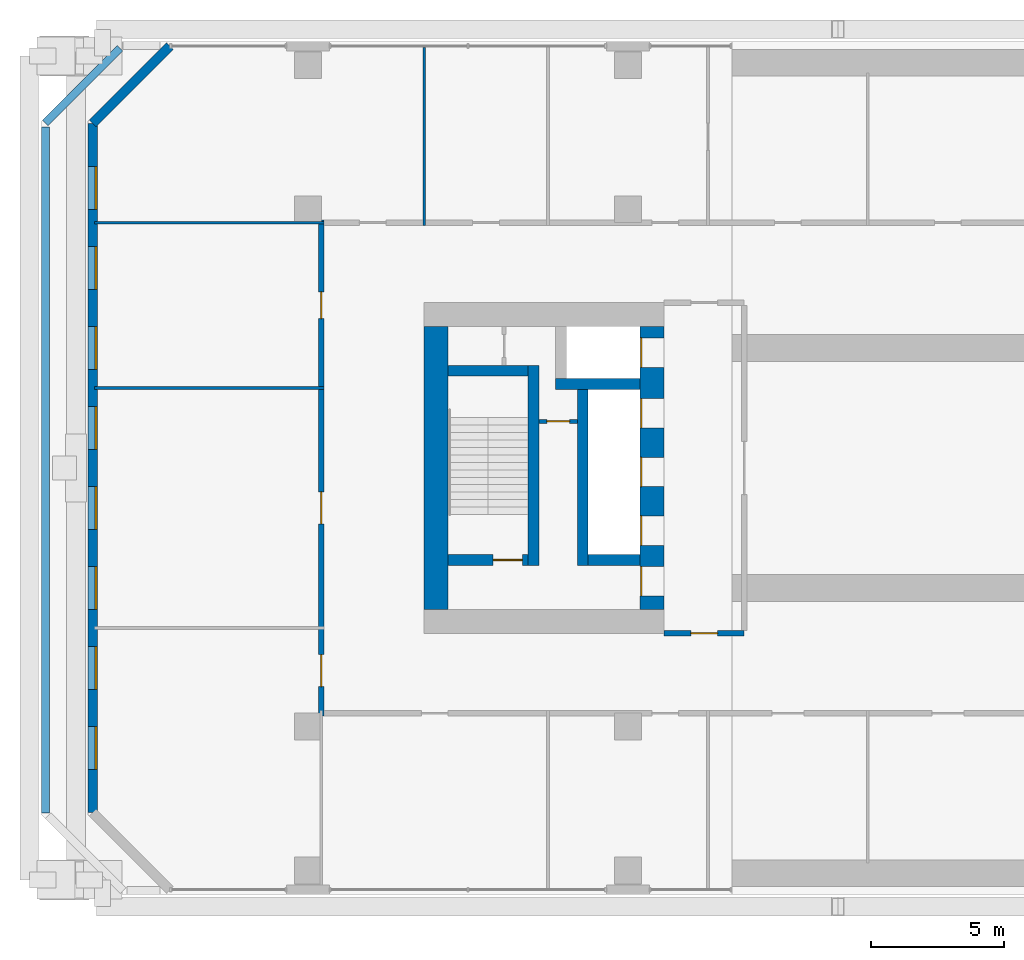
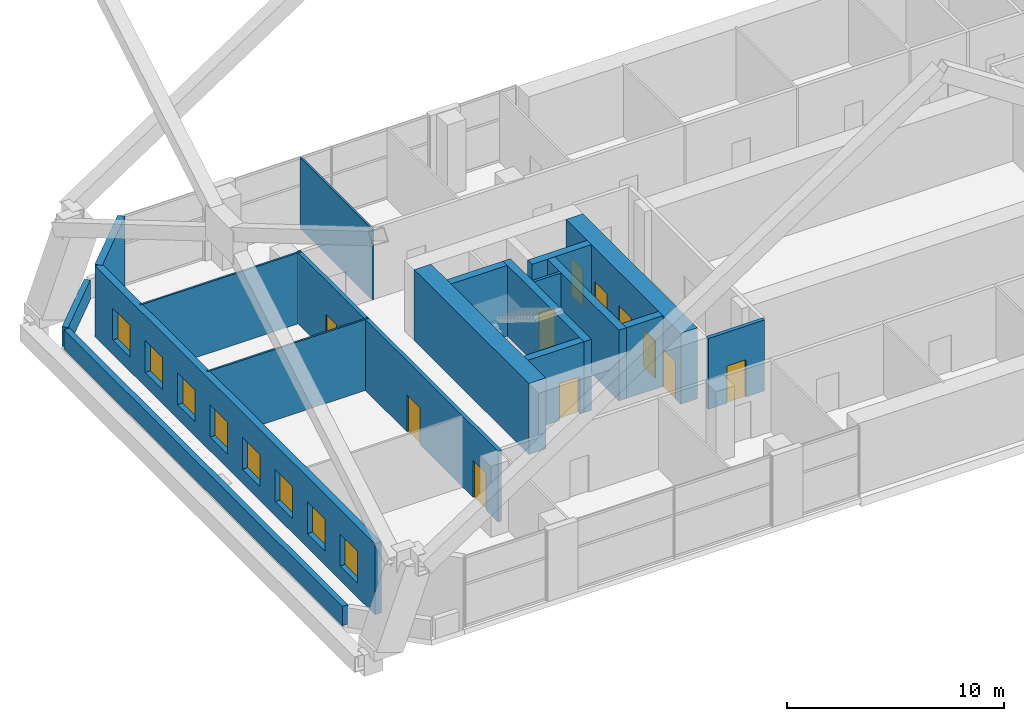
# One storey, part 17 of 25: 18 walls, 11 doors, 8 windows, 19 openings.
"""IFC4 building model written with IfcOpenShell, lengths in metres."""

from ifc_helpers import new_model, si_unit, direction, frame, frame_2d, origin, place, context, subcontext, project, spatial, rectangle, extrude, material, layer, layer_set, type_object, element, fill, save


model = new_model("IFC4")

# Units and contexts
model_context = context("Model", 3, precision=1e-05, world=origin(), true_north=direction((0.0, 1.0)))
body_context = subcontext(model_context, "Body", "Model", "MODEL_VIEW")
ifc_project = project(units=[si_unit("LENGTHUNIT", "METRE"), si_unit("AREAUNIT", "SQUARE_METRE"), si_unit("VOLUMEUNIT", "CUBIC_METRE"), si_unit("PLANEANGLEUNIT", "RADIAN"), si_unit("MASSUNIT", "GRAM", prefix="KILO")], contexts=[model_context])

# Site, building, storey
site_placement = place(None, origin())
site = spatial("IfcSite", under=ifc_project, at=site_placement, CompositionType="ELEMENT")
building_placement = place(site_placement, origin())
building = spatial("IfcBuilding", under=site, at=building_placement, Name="Tuart Gate Housing", CompositionType="ELEMENT")
storey_placement = place(building_placement, frame((0.0, 0.0, 14.699951171875)))
storey = spatial("IfcBuildingStorey", under=building, at=storey_placement, Name="L03", CompositionType="ELEMENT", Elevation=14.699951171875)

# Walls
ifc_material_1 = material(Name="Brick", Category="masonry")
ifc_layer_1 = layer(ifc_material_1, 0.300048828125)
ifc_layer_set_1 = layer_set([ifc_layer_1], Name="Brick parapet wall 300")
wall_type_1 = type_object("IfcWallType", Name="Brick parapet wall 300", PredefinedType="PARAPET", material=ifc_layer_set_1)
wall_1_placement = place(storey_placement, frame((20.95458984375, 85.742431640625, 0.0), z_axis=(0.0, 0.0, 1.0), x_axis=(-0.707137557743, -0.70707600329, 0.0)))
element("IfcWall", 1, at=wall_1_placement, inside=storey, type_object=wall_type_1, Name="Roof parapet A 2", PredefinedType="PARAPET", context=body_context, shape_type="SweptSolid", body=[
    extrude(rectangle(XDim=3.96630859375, YDim=0.300048828125, at=frame_2d((1.983154296875, 0.0))), origin(), (0.0, 0.0, 1.0), 1.10009765625),
])
wall_2_placement = place(storey_placement, frame((18.14990234375, 82.785888671875, 0.0), z_axis=(0.0, 0.0, 1.0), x_axis=(0.0, -1.0, 0.0)))
element("IfcWall", 2, at=wall_2_placement, inside=storey, type_object=wall_type_1, Name="Roof parapet A 3", PredefinedType="PARAPET", context=body_context, shape_type="SweptSolid", body=[
    extrude(rectangle(XDim=25.723876953125, YDim=0.300048828125, at=frame_2d((12.86181640625, 0.0))), origin(), (0.0, 0.0, 1.0), 1.10009765625),
])
ifc_material_2 = material(Name="Brick", Category="masonry")
ifc_layer_2 = layer(ifc_material_2, 0.360107421875)
ifc_layer_set_2 = layer_set([ifc_layer_2], Name="Brick pier and spandrel wall 360")
wall_type_2 = type_object("IfcWallType", Name="Brick pier and spandrel wall 360", PredefinedType="STANDARD", material=ifc_layer_set_2)
wall_3_placement = place(storey_placement, frame((22.82470703125, 85.820068359375, 0.0), z_axis=(0.0, 0.0, 1.0), x_axis=(-0.707106781187, -0.707106781187, 0.0)))
element("IfcWall", 3, at=wall_3_placement, inside=storey, type_object=wall_type_2, Name="External wall A-NW L03", PredefinedType="STANDARD", context=body_context, shape_type="SweptSolid", body=[
    extrude(rectangle(XDim=4.09375, YDim=0.360107421875, at=frame_2d((2.046875, 0.0))), origin(), (0.0, 0.0, 1.0), 4.0),
])

# Wall, openings, windows
wall_4_placement = place(storey_placement, frame((19.929931640625, 82.92529296875, 0.0), z_axis=(0.0, 0.0, 1.0), x_axis=(0.0, -1.0, 0.0)))
wall_4 = element("IfcWall", 4, at=wall_4_placement, inside=storey, type_object=wall_type_2, Name="External wall A-W L03", PredefinedType="STANDARD", context=body_context, shape_type="SweptSolid", body=[
    extrude(rectangle(XDim=25.850830078125, YDim=0.360107421875, at=frame_2d((12.92529296875, 0.0))), origin(), (0.0, 0.0, 1.0), 4.0),
])
opening_1_placement = place(wall_4_placement, frame((1.62548828125, 0.0, 0.800048828125)))
opening_1 = element("IfcOpeningElement", 5, at=opening_1_placement, cuts=wall_4, Name="Opening W1", PredefinedType="OPENING", context=body_context, shape_type="SweptSolid", body=[
    extrude(rectangle(XDim=1.60009765625, YDim=1.800048828125, at=frame_2d((0.800048828125, 0.89990234375))), frame((0.0, 0.18994140625, 0.0), z_axis=(0.0, -1.0, 0.0), x_axis=(1.0, 0.0, 0.0)), (0.0, 0.0, 1.0), 0.380126953125),
])
opening_2_placement = place(wall_4_placement, frame((4.62548828125, 0.0, 0.800048828125)))
opening_2 = element("IfcOpeningElement", 6, at=opening_2_placement, cuts=wall_4, Name="Opening W1", PredefinedType="OPENING", context=body_context, shape_type="SweptSolid", body=[
    extrude(rectangle(XDim=1.60009765625, YDim=1.800048828125, at=frame_2d((0.800048828125, 0.89990234375))), frame((0.0, 0.18994140625, 0.0), z_axis=(0.0, -1.0, 0.0), x_axis=(1.0, 0.0, 0.0)), (0.0, 0.0, 1.0), 0.380126953125),
])
opening_3_placement = place(wall_4_placement, frame((7.62548828125, 0.0, 0.800048828125)))
opening_3 = element("IfcOpeningElement", 7, at=opening_3_placement, cuts=wall_4, Name="Opening W1", PredefinedType="OPENING", context=body_context, shape_type="SweptSolid", body=[
    extrude(rectangle(XDim=1.60009765625, YDim=1.800048828125, at=frame_2d((0.800048828125, 0.89990234375))), frame((0.0, 0.18994140625, 0.0), z_axis=(0.0, -1.0, 0.0), x_axis=(1.0, 0.0, 0.0)), (0.0, 0.0, 1.0), 0.380126953125),
])
opening_4_placement = place(wall_4_placement, frame((10.62548828125, 0.0, 0.800048828125)))
opening_4 = element("IfcOpeningElement", 8, at=opening_4_placement, cuts=wall_4, Name="Opening W1", PredefinedType="OPENING", context=body_context, shape_type="SweptSolid", body=[
    extrude(rectangle(XDim=1.60009765625, YDim=1.800048828125, at=frame_2d((0.800048828125, 0.89990234375))), frame((0.0, 0.18994140625, 0.0), z_axis=(0.0, -1.0, 0.0), x_axis=(1.0, 0.0, 0.0)), (0.0, 0.0, 1.0), 0.380126953125),
])
opening_5_placement = place(wall_4_placement, frame((13.62548828125, 0.0, 0.800048828125)))
opening_5 = element("IfcOpeningElement", 9, at=opening_5_placement, cuts=wall_4, Name="Opening W1", PredefinedType="OPENING", context=body_context, shape_type="SweptSolid", body=[
    extrude(rectangle(XDim=1.60009765625, YDim=1.800048828125, at=frame_2d((0.800048828125, 0.89990234375))), frame((0.0, 0.18994140625, 0.0), z_axis=(0.0, -1.0, 0.0), x_axis=(1.0, 0.0, 0.0)), (0.0, 0.0, 1.0), 0.380126953125),
])
opening_6_placement = place(wall_4_placement, frame((16.62548828125, 0.0, 0.800048828125)))
opening_6 = element("IfcOpeningElement", 10, at=opening_6_placement, cuts=wall_4, Name="Opening W1", PredefinedType="OPENING", context=body_context, shape_type="SweptSolid", body=[
    extrude(rectangle(XDim=1.60009765625, YDim=1.800048828125, at=frame_2d((0.800048828125, 0.89990234375))), frame((0.0, 0.18994140625, 0.0), z_axis=(0.0, -1.0, 0.0), x_axis=(1.0, 0.0, 0.0)), (0.0, 0.0, 1.0), 0.380126953125),
])
opening_7_placement = place(wall_4_placement, frame((19.62548828125, 0.0, 0.800048828125)))
opening_7 = element("IfcOpeningElement", 11, at=opening_7_placement, cuts=wall_4, Name="Opening W1", PredefinedType="OPENING", context=body_context, shape_type="SweptSolid", body=[
    extrude(rectangle(XDim=1.60009765625, YDim=1.800048828125, at=frame_2d((0.800048828125, 0.89990234375))), frame((0.0, 0.18994140625, 0.0), z_axis=(0.0, -1.0, 0.0), x_axis=(1.0, 0.0, 0.0)), (0.0, 0.0, 1.0), 0.380126953125),
])
opening_8_placement = place(wall_4_placement, frame((22.62548828125, 0.0, 0.800048828125)))
opening_8 = element("IfcOpeningElement", 12, at=opening_8_placement, cuts=wall_4, Name="Opening W1", PredefinedType="OPENING", context=body_context, shape_type="SweptSolid", body=[
    extrude(rectangle(XDim=1.60009765625, YDim=1.800048828125, at=frame_2d((0.800048828125, 0.89990234375))), frame((0.0, 0.18994140625, 0.0), z_axis=(0.0, -1.0, 0.0), x_axis=(1.0, 0.0, 0.0)), (0.0, 0.0, 1.0), 0.380126953125),
])
ifc_material_3 = material(Name="Aluminium frame with clear glass", Category="aluminium")
window_type = type_object("IfcWindowType", Name="Punched window 1600 x 1800", PartitioningType="SINGLE_PANEL", PredefinedType="WINDOW", material=ifc_material_3)
window_1_placement = place(opening_1_placement, origin())
window_1 = element("IfcWindow", 13, at=window_1_placement, inside=storey, type_object=window_type, Name="Window W1", OverallHeight=1.800048828125, OverallWidth=1.60009765625, PartitioningType="SINGLE_PANEL", PredefinedType="WINDOW", context=body_context, shape_type="SweptSolid", body=[
    extrude(rectangle(XDim=1.60009765625, YDim=1.800048828125, at=frame_2d((0.800048828125, 0.89990234375))), frame((0.0, 0.150146484375, 0.0), z_axis=(0.0, -1.0, 0.0), x_axis=(1.0, 0.0, 0.0)), (0.0, 0.0, 1.0), 0.06005859375),
])
fill(opening_1, window_1)
window_2_placement = place(opening_2_placement, origin())
window_2 = element("IfcWindow", 14, at=window_2_placement, inside=storey, type_object=window_type, Name="Window W1", OverallHeight=1.800048828125, OverallWidth=1.60009765625, PartitioningType="SINGLE_PANEL", PredefinedType="WINDOW", context=body_context, shape_type="SweptSolid", body=[
    extrude(rectangle(XDim=1.60009765625, YDim=1.800048828125, at=frame_2d((0.800048828125, 0.89990234375))), frame((0.0, 0.150146484375, 0.0), z_axis=(0.0, -1.0, 0.0), x_axis=(1.0, 0.0, 0.0)), (0.0, 0.0, 1.0), 0.06005859375),
])
fill(opening_2, window_2)
window_3_placement = place(opening_3_placement, origin())
window_3 = element("IfcWindow", 15, at=window_3_placement, inside=storey, type_object=window_type, Name="Window W1", OverallHeight=1.800048828125, OverallWidth=1.60009765625, PartitioningType="SINGLE_PANEL", PredefinedType="WINDOW", context=body_context, shape_type="SweptSolid", body=[
    extrude(rectangle(XDim=1.60009765625, YDim=1.800048828125, at=frame_2d((0.800048828125, 0.89990234375))), frame((0.0, 0.150146484375, 0.0), z_axis=(0.0, -1.0, 0.0), x_axis=(1.0, 0.0, 0.0)), (0.0, 0.0, 1.0), 0.06005859375),
])
fill(opening_3, window_3)
window_4_placement = place(opening_4_placement, origin())
window_4 = element("IfcWindow", 16, at=window_4_placement, inside=storey, type_object=window_type, Name="Window W1", OverallHeight=1.800048828125, OverallWidth=1.60009765625, PartitioningType="SINGLE_PANEL", PredefinedType="WINDOW", context=body_context, shape_type="SweptSolid", body=[
    extrude(rectangle(XDim=1.60009765625, YDim=1.800048828125, at=frame_2d((0.800048828125, 0.89990234375))), frame((0.0, 0.150146484375, 0.0), z_axis=(0.0, -1.0, 0.0), x_axis=(1.0, 0.0, 0.0)), (0.0, 0.0, 1.0), 0.06005859375),
])
fill(opening_4, window_4)
window_5_placement = place(opening_5_placement, origin())
window_5 = element("IfcWindow", 17, at=window_5_placement, inside=storey, type_object=window_type, Name="Window W1", OverallHeight=1.800048828125, OverallWidth=1.60009765625, PartitioningType="SINGLE_PANEL", PredefinedType="WINDOW", context=body_context, shape_type="SweptSolid", body=[
    extrude(rectangle(XDim=1.60009765625, YDim=1.800048828125, at=frame_2d((0.800048828125, 0.89990234375))), frame((0.0, 0.150146484375, 0.0), z_axis=(0.0, -1.0, 0.0), x_axis=(1.0, 0.0, 0.0)), (0.0, 0.0, 1.0), 0.06005859375),
])
fill(opening_5, window_5)
window_6_placement = place(opening_6_placement, origin())
window_6 = element("IfcWindow", 18, at=window_6_placement, inside=storey, type_object=window_type, Name="Window W1", OverallHeight=1.800048828125, OverallWidth=1.60009765625, PartitioningType="SINGLE_PANEL", PredefinedType="WINDOW", context=body_context, shape_type="SweptSolid", body=[
    extrude(rectangle(XDim=1.60009765625, YDim=1.800048828125, at=frame_2d((0.800048828125, 0.89990234375))), frame((0.0, 0.150146484375, 0.0), z_axis=(0.0, -1.0, 0.0), x_axis=(1.0, 0.0, 0.0)), (0.0, 0.0, 1.0), 0.06005859375),
])
fill(opening_6, window_6)
window_7_placement = place(opening_7_placement, origin())
window_7 = element("IfcWindow", 19, at=window_7_placement, inside=storey, type_object=window_type, Name="Window W1", OverallHeight=1.800048828125, OverallWidth=1.60009765625, PartitioningType="SINGLE_PANEL", PredefinedType="WINDOW", context=body_context, shape_type="SweptSolid", body=[
    extrude(rectangle(XDim=1.60009765625, YDim=1.800048828125, at=frame_2d((0.800048828125, 0.89990234375))), frame((0.0, 0.150146484375, 0.0), z_axis=(0.0, -1.0, 0.0), x_axis=(1.0, 0.0, 0.0)), (0.0, 0.0, 1.0), 0.06005859375),
])
fill(opening_7, window_7)
window_8_placement = place(opening_8_placement, origin())
window_8 = element("IfcWindow", 20, at=window_8_placement, inside=storey, type_object=window_type, Name="Window W1", OverallHeight=1.800048828125, OverallWidth=1.60009765625, PartitioningType="SINGLE_PANEL", PredefinedType="WINDOW", context=body_context, shape_type="SweptSolid", body=[
    extrude(rectangle(XDim=1.60009765625, YDim=1.800048828125, at=frame_2d((0.800048828125, 0.89990234375))), frame((0.0, 0.150146484375, 0.0), z_axis=(0.0, -1.0, 0.0), x_axis=(1.0, 0.0, 0.0)), (0.0, 0.0, 1.0), 0.06005859375),
])
fill(opening_8, window_8)

# Wall, opening, door
ifc_material_4 = material(Name="Plasterboard partition")
ifc_layer_3 = layer(ifc_material_4, 0.14990234375)
ifc_layer_set_3 = layer_set([ifc_layer_3], Name="Core partition 150")
wall_type_3 = type_object("IfcWallType", Name="Core partition 150", PredefinedType="PARTITIONING", material=ifc_layer_set_3)
wall_5_placement = place(storey_placement, frame((38.110107421875, 71.75, 0.0), z_axis=(0.0, 0.0, 1.0), x_axis=(-1.0, 0.0, 0.0)))
wall_5 = element("IfcWall", 21, at=wall_5_placement, inside=storey, type_object=wall_type_3, Name="Core partition AK.3", PredefinedType="PARTITIONING", context=body_context, shape_type="SweptSolid", body=[
    extrude(rectangle(XDim=1.4501953125, YDim=0.14990234375, at=frame_2d((0.72509765625, 0.0))), origin(), (0.0, 0.0, 1.0), 4.0),
])
opening_9_placement = place(wall_5_placement, frame((0.300048828125, 0.0, 0.0)))
opening_9 = element("IfcOpeningElement", 22, at=opening_9_placement, cuts=wall_5, Name="Opening D017", PredefinedType="OPENING", context=body_context, shape_type="SweptSolid", body=[
    extrude(rectangle(XDim=0.85009765625, YDim=2.10009765625, at=frame_2d((0.425048828125, 1.050048828125))), frame((0.0, 0.0849609375, 0.0), z_axis=(0.0, -1.0, 0.0), x_axis=(1.0, 0.0, 0.0)), (0.0, 0.0, 1.0), 0.169921875),
])
ifc_material_5 = material(Name="Steel fire door", Category="steel")
door_type_1 = type_object("IfcDoorType", Name="Riser door 850 x 2100 RH", OperationType="SINGLE_SWING_RIGHT", PredefinedType="DOOR", material=ifc_material_5)
door_1_placement = place(opening_9_placement, frame((0.85009765625, 0.0, 0.0), z_axis=(0.0, 0.0, 1.0), x_axis=(-1.0, 0.0, 0.0)))
door_1 = element("IfcDoor", 23, at=door_1_placement, inside=storey, type_object=door_type_1, Name="Service room door AK.E1", OperationType="SINGLE_SWING_RIGHT", OverallHeight=2.10009765625, OverallWidth=0.85009765625, PredefinedType="DOOR", context=body_context, shape_type="SweptSolid", body=[
    extrude(rectangle(XDim=0.85009765625, YDim=2.10009765625, at=frame_2d((0.425048828125, 1.050048828125))), frame((0.0, 0.025146484375, 0.0), z_axis=(0.0, -1.0, 0.0), x_axis=(1.0, 0.0, 0.0)), (0.0, 0.0, 1.0), 0.050048828125),
])
fill(opening_9, door_1)

# Walls
ifc_material_6 = material(Name="Concrete C60", Category="concrete")
ifc_layer_4 = layer(ifc_material_6, 0.39990234375)
ifc_layer_set_4 = layer_set([ifc_layer_4], Name="Core wall 400 C60")
wall_type_4 = type_object("IfcWallType", Name="Core wall 400 C60", PredefinedType="SHEAR", material=ifc_layer_set_4)
wall_6_placement = place(storey_placement, frame((36.260009765625, 73.64990234375, 0.0), z_axis=(0.0, 0.0, 1.0), x_axis=(-1.0, 0.0, 0.0)))
element("IfcWall", 24, at=wall_6_placement, inside=storey, type_object=wall_type_4, Name="Core wall AK.1", PredefinedType="SHEAR", context=body_context, shape_type="SweptSolid", body=[
    extrude(rectangle(XDim=3.0, YDim=0.39990234375, at=frame_2d((1.5, 0.0))), origin(), (0.0, 0.0, 1.0), 4.0),
])
wall_7_placement = place(storey_placement, frame((40.4599609375, 73.14990234375, 0.0), z_axis=(0.0, 0.0, 1.0), x_axis=(-1.0, 0.0, 0.0)))
element("IfcWall", 25, at=wall_7_placement, inside=storey, type_object=wall_type_4, Name="Core wall AK.2", PredefinedType="SHEAR", context=body_context, shape_type="SweptSolid", body=[
    extrude(rectangle(XDim=3.169921875, YDim=0.39990234375, at=frame_2d((1.5849609375, 0.0))), origin(), (0.0, 0.0, 1.0), 4.0),
])
wall_8_placement = place(storey_placement, frame((40.4599609375, 66.550048828125, 0.0), z_axis=(0.0, 0.0, 1.0), x_axis=(-1.0, 0.0, 0.0)))
element("IfcWall", 26, at=wall_8_placement, inside=storey, type_object=wall_type_4, Name="Core wall AK.4", PredefinedType="SHEAR", context=body_context, shape_type="SweptSolid", body=[
    extrude(rectangle(XDim=1.949951171875, YDim=0.39990234375, at=frame_2d((0.97509765625, 0.0))), origin(), (0.0, 0.0, 1.0), 4.0),
])

# Wall, opening, door
wall_9_placement = place(storey_placement, frame((36.260009765625, 66.550048828125, 0.0), z_axis=(0.0, 0.0, 1.0), x_axis=(-1.0, 0.0, 0.0)))
wall_9 = element("IfcWall", 27, at=wall_9_placement, inside=storey, type_object=wall_type_4, Name="Core wall AK.5", PredefinedType="SHEAR", context=body_context, shape_type="SweptSolid", body=[
    extrude(rectangle(XDim=3.0, YDim=0.39990234375, at=frame_2d((1.5, 0.0))), origin(), (0.0, 0.0, 1.0), 4.0),
])
opening_10_placement = place(wall_9_placement, frame((0.219970703125, 0.0, 0.0)))
opening_10 = element("IfcOpeningElement", 28, at=opening_10_placement, cuts=wall_9, Name="Opening D026", PredefinedType="OPENING", context=body_context, shape_type="SweptSolid", body=[
    extrude(rectangle(XDim=1.10009765625, YDim=2.10009765625, at=frame_2d((0.550048828125, 1.050048828125))), frame((0.0, 0.2099609375, 0.0), z_axis=(0.0, -1.0, 0.0), x_axis=(1.0, 0.0, 0.0)), (0.0, 0.0, 1.0), 0.419921875),
])
ifc_material_7 = material(Name="Steel fire door", Category="steel")
door_type_2 = type_object("IfcDoorType", Name="Stair door 1100 x 2100 RH", OperationType="SINGLE_SWING_RIGHT", PredefinedType="DOOR", material=ifc_material_7)
door_2_placement = place(opening_10_placement, frame((1.10009765625, 0.0, 0.0), z_axis=(0.0, 0.0, 1.0), x_axis=(-1.0, 0.0, 0.0)))
door_2 = element("IfcDoor", 29, at=door_2_placement, inside=storey, type_object=door_type_2, Name="Stair door AK.SD", OperationType="SINGLE_SWING_RIGHT", OverallHeight=2.10009765625, OverallWidth=1.10009765625, PredefinedType="DOOR", context=body_context, shape_type="SweptSolid", body=[
    extrude(rectangle(XDim=1.10009765625, YDim=2.10009765625, at=frame_2d((0.550048828125, 1.050048828125))), frame((0.0, 0.025146484375, 0.0), z_axis=(0.0, -1.0, 0.0), x_axis=(1.0, 0.0, 0.0)), (0.0, 0.0, 1.0), 0.050048828125),
])
fill(opening_10, door_2)

# Walls
wall_10_placement = place(storey_placement, frame((38.31005859375, 72.949951171875, 0.0), z_axis=(0.0, 0.0, 1.0), x_axis=(0.0, -1.0, 0.0)))
element("IfcWall", 30, at=wall_10_placement, inside=storey, type_object=wall_type_4, Name="Core wall AK.6", PredefinedType="SHEAR", context=body_context, shape_type="SweptSolid", body=[
    extrude(rectangle(XDim=6.599853515625, YDim=0.39990234375, at=frame_2d((3.2998046875, 0.0))), origin(), (0.0, 0.0, 1.0), 4.0),
])
wall_11_placement = place(storey_placement, frame((36.4599609375, 73.85009765625, 0.0), z_axis=(0.0, 0.0, 1.0), x_axis=(0.0, -1.0, 0.0)))
element("IfcWall", 31, at=wall_11_placement, inside=storey, type_object=wall_type_4, Name="Core wall AK.8", PredefinedType="SHEAR", context=body_context, shape_type="SweptSolid", body=[
    extrude(rectangle(XDim=7.5, YDim=0.39990234375, at=frame_2d((3.75, 0.0))), origin(), (0.0, 0.0, 1.0), 4.0),
])

# Wall, openings, doors
ifc_material_8 = material(Name="Concrete C60", Category="concrete")
ifc_layer_5 = layer(ifc_material_8, 0.89990234375)
ifc_layer_set_5 = layer_set([ifc_layer_5], Name="Core wall 900 C60")
wall_type_5 = type_object("IfcWallType", Name="Core wall 900 C60", PredefinedType="SHEAR", material=ifc_layer_set_5)
wall_12_placement = place(storey_placement, frame((40.909912109375, 75.300048828125, 0.0), z_axis=(0.0, 0.0, 1.0), x_axis=(0.0, -1.0, 0.0)))
wall_12 = element("IfcWall", 32, at=wall_12_placement, inside=storey, type_object=wall_type_5, Name="Core wall AK front", PredefinedType="SHEAR", context=body_context, shape_type="SweptSolid", body=[
    extrude(rectangle(XDim=10.60009765625, YDim=0.89990234375, at=frame_2d((5.300048828125, 0.0))), origin(), (0.0, 0.0, 1.0), 4.0),
])
opening_11_placement = place(wall_12_placement, frame((0.425048828125, 0.0, 0.0)))
opening_11 = element("IfcOpeningElement", 33, at=opening_11_placement, cuts=wall_12, Name="Opening LD-FA2", PredefinedType="OPENING", context=body_context, shape_type="SweptSolid", body=[
    extrude(rectangle(XDim=1.10009765625, YDim=2.10009765625, at=frame_2d((0.550048828125, 1.050048828125))), frame((0.0, 0.4599609375, 0.0), z_axis=(0.0, -1.0, 0.0), x_axis=(1.0, 0.0, 0.0)), (0.0, 0.0, 1.0), 0.919921875),
])
opening_12_placement = place(wall_12_placement, frame((2.699951171875, 0.0, 0.0)))
opening_12 = element("IfcOpeningElement", 34, at=opening_12_placement, cuts=wall_12, Name="Opening LD-LA4", PredefinedType="OPENING", context=body_context, shape_type="SweptSolid", body=[
    extrude(rectangle(XDim=1.10009765625, YDim=2.10009765625, at=frame_2d((0.550048828125, 1.050048828125))), frame((0.0, 0.4599609375, 0.0), z_axis=(0.0, -1.0, 0.0), x_axis=(1.0, 0.0, 0.0)), (0.0, 0.0, 1.0), 0.919921875),
])
opening_13_placement = place(wall_12_placement, frame((4.89990234375, 0.0, 0.0)))
opening_13 = element("IfcOpeningElement", 35, at=opening_13_placement, cuts=wall_12, Name="Opening LD-LA5", PredefinedType="OPENING", context=body_context, shape_type="SweptSolid", body=[
    extrude(rectangle(XDim=1.10009765625, YDim=2.10009765625, at=frame_2d((0.550048828125, 1.050048828125))), frame((0.0, 0.4599609375, 0.0), z_axis=(0.0, -1.0, 0.0), x_axis=(1.0, 0.0, 0.0)), (0.0, 0.0, 1.0), 0.919921875),
])
opening_14_placement = place(wall_12_placement, frame((7.10009765625, 0.0, 0.0)))
opening_14 = element("IfcOpeningElement", 36, at=opening_14_placement, cuts=wall_12, Name="Opening LD-LA6", PredefinedType="OPENING", context=body_context, shape_type="SweptSolid", body=[
    extrude(rectangle(XDim=1.10009765625, YDim=2.10009765625, at=frame_2d((0.550048828125, 1.050048828125))), frame((0.0, 0.4599609375, 0.0), z_axis=(0.0, -1.0, 0.0), x_axis=(1.0, 0.0, 0.0)), (0.0, 0.0, 1.0), 0.919921875),
])
opening_15_placement = place(wall_12_placement, frame((9.0, 0.0, 0.0)))
opening_15 = element("IfcOpeningElement", 37, at=opening_15_placement, cuts=wall_12, Name="Opening D021", PredefinedType="OPENING", context=body_context, shape_type="SweptSolid", body=[
    extrude(rectangle(XDim=1.10009765625, YDim=2.10009765625, at=frame_2d((0.550048828125, 1.050048828125))), frame((0.0, 0.4599609375, 0.0), z_axis=(0.0, -1.0, 0.0), x_axis=(1.0, 0.0, 0.0)), (0.0, 0.0, 1.0), 0.919921875),
])
ifc_material_9 = material(Name="Stainless steel", Category="steel")
door_type_3 = type_object("IfcDoorType", Name="Landing door 1100 x 2100", OperationType="DOUBLE_DOOR_SLIDING", PredefinedType="DOOR", material=ifc_material_9)
door_3_placement = place(opening_11_placement, origin())
door_3 = element("IfcDoor", 38, at=door_3_placement, inside=storey, type_object=door_type_3, Name="Lift landing door FA2", OperationType="DOUBLE_DOOR_SLIDING", OverallHeight=2.10009765625, OverallWidth=1.10009765625, PredefinedType="DOOR", context=body_context, shape_type="SweptSolid", body=[
    extrude(rectangle(XDim=1.10009765625, YDim=2.10009765625, at=frame_2d((0.550048828125, 1.050048828125))), frame((0.0, -0.384765625, 0.0), z_axis=(0.0, -1.0, 0.0), x_axis=(1.0, 0.0, 0.0)), (0.0, 0.0, 1.0), 0.050048828125),
])
fill(opening_11, door_3)
door_4_placement = place(opening_12_placement, origin())
door_4 = element("IfcDoor", 39, at=door_4_placement, inside=storey, type_object=door_type_3, Name="Lift landing door LA4", OperationType="DOUBLE_DOOR_SLIDING", OverallHeight=2.10009765625, OverallWidth=1.10009765625, PredefinedType="DOOR", context=body_context, shape_type="SweptSolid", body=[
    extrude(rectangle(XDim=1.10009765625, YDim=2.10009765625, at=frame_2d((0.550048828125, 1.050048828125))), frame((0.0, -0.384765625, 0.0), z_axis=(0.0, -1.0, 0.0), x_axis=(1.0, 0.0, 0.0)), (0.0, 0.0, 1.0), 0.050048828125),
])
fill(opening_12, door_4)
door_5_placement = place(opening_13_placement, origin())
door_5 = element("IfcDoor", 40, at=door_5_placement, inside=storey, type_object=door_type_3, Name="Lift landing door LA5", OperationType="DOUBLE_DOOR_SLIDING", OverallHeight=2.10009765625, OverallWidth=1.10009765625, PredefinedType="DOOR", context=body_context, shape_type="SweptSolid", body=[
    extrude(rectangle(XDim=1.10009765625, YDim=2.10009765625, at=frame_2d((0.550048828125, 1.050048828125))), frame((0.0, -0.384765625, 0.0), z_axis=(0.0, -1.0, 0.0), x_axis=(1.0, 0.0, 0.0)), (0.0, 0.0, 1.0), 0.050048828125),
])
fill(opening_13, door_5)
door_6_placement = place(opening_14_placement, origin())
door_6 = element("IfcDoor", 41, at=door_6_placement, inside=storey, type_object=door_type_3, Name="Lift landing door LA6", OperationType="DOUBLE_DOOR_SLIDING", OverallHeight=2.10009765625, OverallWidth=1.10009765625, PredefinedType="DOOR", context=body_context, shape_type="SweptSolid", body=[
    extrude(rectangle(XDim=1.10009765625, YDim=2.10009765625, at=frame_2d((0.550048828125, 1.050048828125))), frame((0.0, -0.384765625, 0.0), z_axis=(0.0, -1.0, 0.0), x_axis=(1.0, 0.0, 0.0)), (0.0, 0.0, 1.0), 0.050048828125),
])
fill(opening_14, door_6)
ifc_material_10 = material(Name="Steel fire door", Category="steel")
door_type_4 = type_object("IfcDoorType", Name="Lobby door 1100 x 2100 RH", OperationType="SINGLE_SWING_RIGHT", PredefinedType="DOOR", material=ifc_material_10)
door_7_placement = place(opening_15_placement, frame((1.10009765625, 0.0, 0.0), z_axis=(0.0, 0.0, 1.0), x_axis=(-1.0, 0.0, 0.0)))
door_7 = element("IfcDoor", 42, at=door_7_placement, inside=storey, type_object=door_type_4, Name="Lobby entry door AK.EN", OperationType="SINGLE_SWING_RIGHT", OverallHeight=2.10009765625, OverallWidth=1.10009765625, PredefinedType="DOOR", context=body_context, shape_type="SweptSolid", body=[
    extrude(rectangle(XDim=1.10009765625, YDim=2.10009765625, at=frame_2d((0.550048828125, 1.050048828125))), frame((0.0, 0.434814453125, 0.0), z_axis=(0.0, -1.0, 0.0), x_axis=(1.0, 0.0, 0.0)), (0.0, 0.0, 1.0), 0.050048828125),
])
fill(opening_15, door_7)

# Wall
wall_13_placement = place(storey_placement, frame((32.81005859375, 75.300048828125, 0.0), z_axis=(0.0, 0.0, 1.0), x_axis=(0.0, -1.0, 0.0)))
element("IfcWall", 43, at=wall_13_placement, inside=storey, type_object=wall_type_5, Name="Core wall AK back", PredefinedType="SHEAR", context=body_context, shape_type="SweptSolid", body=[
    extrude(rectangle(XDim=10.60009765625, YDim=0.89990234375, at=frame_2d((5.300048828125, 0.0))), origin(), (0.0, 0.0, 1.0), 4.0),
])

# Wall, openings, doors
ifc_material_11 = material(Name="Concrete masonry 15 MPa", Category="masonry")
ifc_layer_6 = layer(ifc_material_11, 0.199951171875)
ifc_layer_set_6 = layer_set([ifc_layer_6], Name="Corridor wall masonry 200")
wall_type_6 = type_object("IfcWallType", Name="Corridor wall masonry 200", PredefinedType="PARTITIONING", material=ifc_layer_set_6)
wall_14_placement = place(storey_placement, frame((28.5, 60.699951171875, 0.0), z_axis=(0.0, 0.0, 1.0), x_axis=(0.0, 1.0, 0.0)))
wall_14 = element("IfcWall", 44, at=wall_14_placement, inside=storey, type_object=wall_type_6, Name="Corridor wall masonry 200", PredefinedType="PARTITIONING", context=body_context, shape_type="SweptSolid", body=[
    extrude(rectangle(XDim=18.60009765625, YDim=0.199951171875, at=frame_2d((9.300048828125, 0.0))), origin(), (0.0, 0.0, 1.0), 4.0),
])
opening_16_placement = place(wall_14_placement, frame((1.10009765625, 0.0, 0.0)))
opening_16 = element("IfcOpeningElement", 45, at=opening_16_placement, cuts=wall_14, Name="Opening D019", PredefinedType="OPENING", context=body_context, shape_type="SweptSolid", body=[
    extrude(rectangle(XDim=1.199951171875, YDim=2.10009765625, at=frame_2d((0.60009765625, 1.050048828125))), frame((0.0, 0.10986328125, 0.0), z_axis=(0.0, -1.0, 0.0), x_axis=(1.0, 0.0, 0.0)), (0.0, 0.0, 1.0), 0.219970703125),
])
opening_17_placement = place(wall_14_placement, frame((7.199951171875, 0.0, 0.0)))
opening_17 = element("IfcOpeningElement", 46, at=opening_17_placement, cuts=wall_14, Name="Opening D020", PredefinedType="OPENING", context=body_context, shape_type="SweptSolid", body=[
    extrude(rectangle(XDim=1.199951171875, YDim=2.10009765625, at=frame_2d((0.60009765625, 1.050048828125))), frame((0.0, 0.10986328125, 0.0), z_axis=(0.0, -1.0, 0.0), x_axis=(1.0, 0.0, 0.0)), (0.0, 0.0, 1.0), 0.219970703125),
])
opening_18_placement = place(wall_14_placement, frame((14.89990234375, 0.0, 0.0)))
opening_18 = element("IfcOpeningElement", 47, at=opening_18_placement, cuts=wall_14, Name="Opening D018", PredefinedType="OPENING", context=body_context, shape_type="SweptSolid", body=[
    extrude(rectangle(XDim=1.0, YDim=2.10009765625, at=frame_2d((0.5, 1.050048828125))), frame((0.0, 0.10986328125, 0.0), z_axis=(0.0, -1.0, 0.0), x_axis=(1.0, 0.0, 0.0)), (0.0, 0.0, 1.0), 0.219970703125),
])
ifc_material_12 = material(Name="Timber door leaf in steel frame", Category="steel")
door_type_5 = type_object("IfcDoorType", Name="Fire door 1000", OperationType="SINGLE_SWING_LEFT", PredefinedType="DOOR", material=ifc_material_12)
door_8_placement = place(opening_18_placement, origin())
door_8 = element("IfcDoor", 48, at=door_8_placement, inside=storey, type_object=door_type_5, Name="Fire door 1000", OperationType="SINGLE_SWING_LEFT", OverallHeight=2.10009765625, OverallWidth=1.0, PredefinedType="DOOR", context=body_context, shape_type="SweptSolid", body=[
    extrude(rectangle(XDim=1.0, YDim=2.10009765625, at=frame_2d((0.5, 1.050048828125))), frame((0.0, 0.02490234375, 0.0), z_axis=(0.0, -1.0, 0.0), x_axis=(1.0, 0.0, 0.0)), (0.0, 0.0, 1.0), 0.050048828125),
])
fill(opening_18, door_8)
ifc_material_13 = material(Name="Timber door leaf in steel frame", Category="steel")
door_type_6 = type_object("IfcDoorType", Name="Fire door 1200", OperationType="SINGLE_SWING_LEFT", PredefinedType="DOOR", material=ifc_material_13)
door_9_placement = place(opening_17_placement, origin())
door_9 = element("IfcDoor", 49, at=door_9_placement, inside=storey, type_object=door_type_6, Name="Fire door 1200", OperationType="SINGLE_SWING_LEFT", OverallHeight=2.10009765625, OverallWidth=1.199951171875, PredefinedType="DOOR", context=body_context, shape_type="SweptSolid", body=[
    extrude(rectangle(XDim=1.199951171875, YDim=2.10009765625, at=frame_2d((0.60009765625, 1.050048828125))), frame((0.0, 0.02490234375, 0.0), z_axis=(0.0, -1.0, 0.0), x_axis=(1.0, 0.0, 0.0)), (0.0, 0.0, 1.0), 0.050048828125),
])
fill(opening_17, door_9)
ifc_material_14 = material(Name="Timber door leaf in steel frame", Category="steel")
door_type_7 = type_object("IfcDoorType", Name="Fire door 1200 RH", OperationType="SINGLE_SWING_RIGHT", PredefinedType="DOOR", material=ifc_material_14)
door_10_placement = place(opening_16_placement, origin())
door_10 = element("IfcDoor", 50, at=door_10_placement, inside=storey, type_object=door_type_7, Name="Fire door 1200", OperationType="SINGLE_SWING_RIGHT", OverallHeight=2.10009765625, OverallWidth=1.199951171875, PredefinedType="DOOR", context=body_context, shape_type="SweptSolid", body=[
    extrude(rectangle(XDim=1.199951171875, YDim=2.10009765625, at=frame_2d((0.60009765625, 1.050048828125))), frame((0.0, 0.02490234375, 0.0), z_axis=(0.0, -1.0, 0.0), x_axis=(1.0, 0.0, 0.0)), (0.0, 0.0, 1.0), 0.050048828125),
])
fill(opening_16, door_10)

# Wall, opening, door
ifc_material_15 = material(Name="Concrete masonry 15 MPa", Category="masonry")
ifc_layer_7 = layer(ifc_material_15, 0.199951171875)
ifc_layer_set_7 = layer_set([ifc_layer_7], Name="Enclosure wall masonry 200")
wall_type_7 = type_object("IfcWallType", Name="Enclosure wall masonry 200", PredefinedType="PARTITIONING", material=ifc_layer_set_7)
wall_15_placement = place(storey_placement, frame((41.360107421875, 63.800048828125, 0.0), z_axis=(0.0, 0.0, 1.0), x_axis=(1.0, 0.0, 0.0)))
wall_15 = element("IfcWall", 51, at=wall_15_placement, inside=storey, type_object=wall_type_7, Name="Enclosure wall masonry 200", PredefinedType="PARTITIONING", context=body_context, shape_type="SweptSolid", body=[
    extrude(rectangle(XDim=3.0, YDim=0.199951171875, at=frame_2d((1.5, 0.0))), origin(), (0.0, 0.0, 1.0), 4.0),
])
opening_19_placement = place(wall_15_placement, frame((1.0, 0.0, 0.0)))
opening_19 = element("IfcOpeningElement", 52, at=opening_19_placement, cuts=wall_15, Name="Opening D027", PredefinedType="OPENING", context=body_context, shape_type="SweptSolid", body=[
    extrude(rectangle(XDim=1.0, YDim=2.10009765625, at=frame_2d((0.5, 1.050048828125))), frame((0.0, 0.10986328125, 0.0), z_axis=(0.0, -1.0, 0.0), x_axis=(1.0, 0.0, 0.0)), (0.0, 0.0, 1.0), 0.219970703125),
])
ifc_material_16 = material(Name="Timber door leaf in steel frame", Category="steel")
door_type_8 = type_object("IfcDoorType", Name="Lobby door 1000 RH", OperationType="SINGLE_SWING_RIGHT", PredefinedType="DOOR", material=ifc_material_16)
door_11_placement = place(opening_19_placement, origin())
door_11 = element("IfcDoor", 53, at=door_11_placement, inside=storey, type_object=door_type_8, Name="Lobby door 1000", OperationType="SINGLE_SWING_RIGHT", OverallHeight=2.10009765625, OverallWidth=1.0, PredefinedType="DOOR", context=body_context, shape_type="SweptSolid", body=[
    extrude(rectangle(XDim=1.0, YDim=2.10009765625, at=frame_2d((0.5, 1.050048828125))), frame((0.0, 0.02490234375, 0.0), z_axis=(0.0, -1.0, 0.0), x_axis=(1.0, 0.0, 0.0)), (0.0, 0.0, 1.0), 0.050048828125),
])
fill(opening_19, door_11)

# Walls
ifc_material_17 = material(Name="Gypsum board on steel studs", Category="steel")
ifc_layer_8 = layer(ifc_material_17, 0.10009765625)
ifc_layer_set_8 = layer_set([ifc_layer_8], Name="Partition 100")
wall_type_8 = type_object("IfcWallType", Name="Partition 100", PredefinedType="PARTITIONING", material=ifc_layer_set_8)
wall_16_placement = place(storey_placement, frame((19.989990234375, 73.0, 0.0), z_axis=(0.0, 0.0, 1.0), x_axis=(1.0, 0.0, 0.0)))
element("IfcWall", 54, at=wall_16_placement, inside=storey, type_object=wall_type_8, Name="Partition 100", PredefinedType="PARTITIONING", context=body_context, shape_type="SweptSolid", body=[
    extrude(rectangle(XDim=8.610107421875, YDim=0.10009765625, at=frame_2d((4.30517578125, 0.0))), origin(), (0.0, 0.0, 1.0), 4.0),
])
wall_17_placement = place(storey_placement, frame((19.989990234375, 79.199951171875, 0.0), z_axis=(0.0, 0.0, 1.0), x_axis=(1.0, 0.0, 0.0)))
element("IfcWall", 55, at=wall_17_placement, inside=storey, type_object=wall_type_8, Name="Partition 100", PredefinedType="PARTITIONING", context=body_context, shape_type="SweptSolid", body=[
    extrude(rectangle(XDim=8.612060546875, YDim=0.10009765625, at=frame_2d((4.30615234375, 0.0))), origin(), (0.0, 0.0, 1.0), 4.0),
])
wall_18_placement = place(storey_placement, frame((32.360107421875, 79.10009765625, 0.0), z_axis=(0.0, 0.0, 1.0), x_axis=(0.0, 1.0, 0.0)))
element("IfcWall", 56, at=wall_18_placement, inside=storey, type_object=wall_type_8, Name="Partition 100", PredefinedType="PARTITIONING", context=body_context, shape_type="SweptSolid", body=[
    extrude(rectangle(XDim=6.659912109375, YDim=0.10009765625, at=frame_2d((3.330078125, 0.0))), origin(), (0.0, 0.0, 1.0), 4.0),
])

save(model, "model.ifc")
